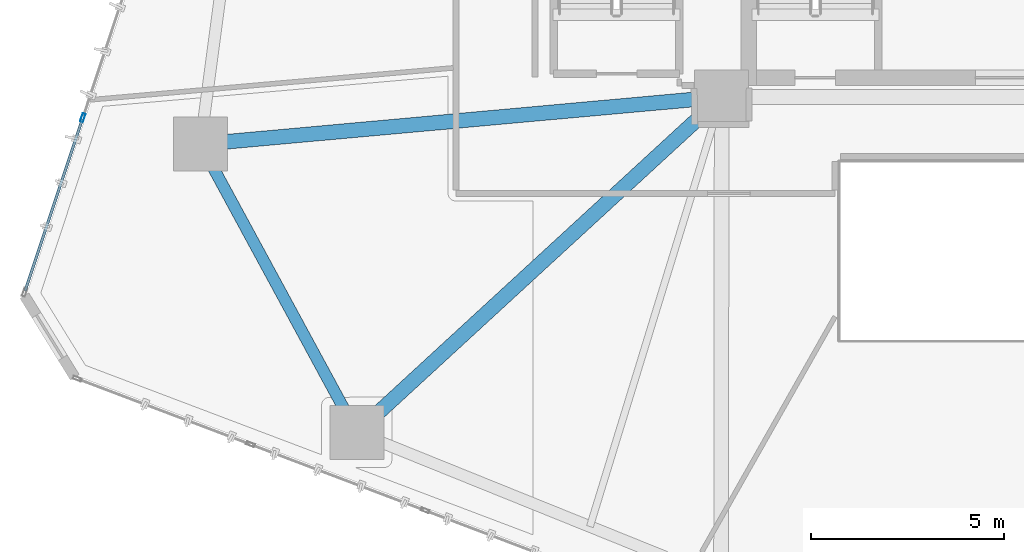
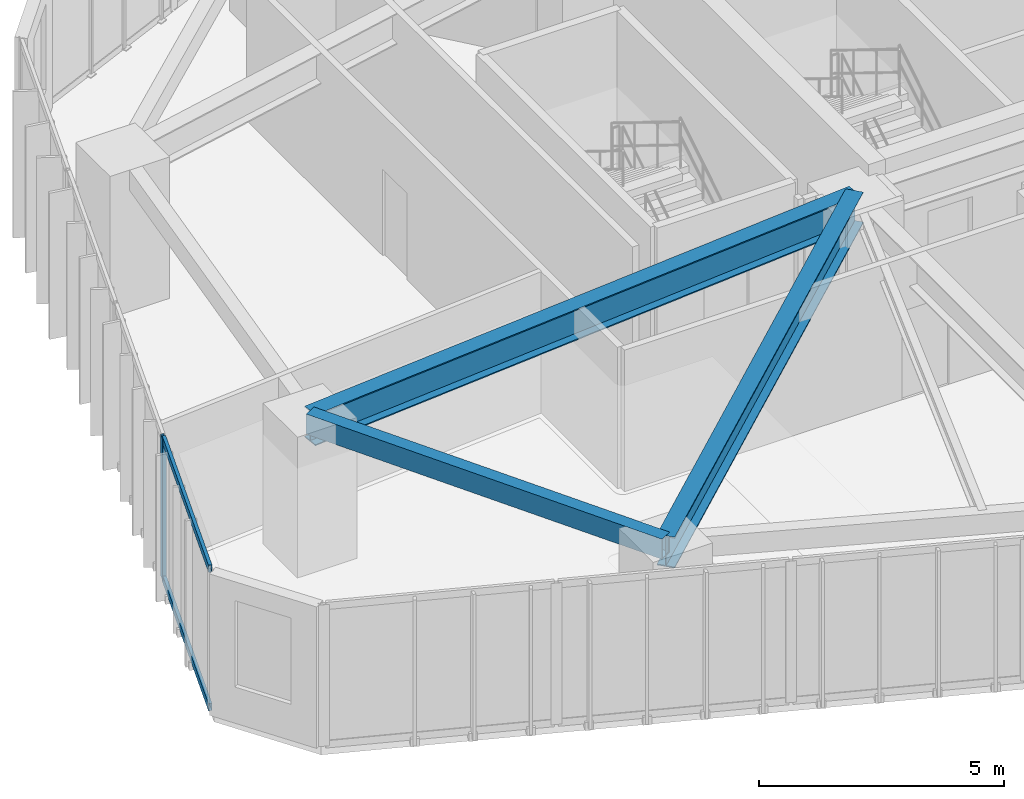
# One storey, part 3 of 23: 3 beams, 3 members, 1 element without a shape of its own.
"""IFC4 building model written with IfcOpenShell, lengths in metres."""

from ifc_helpers import new_model, si_unit, direction, frame, origin, origin_2d, place, context, subcontext, project, spatial, hollow_rectangle, i_section, extrude, source, transform, mapped, material, layer, layer_set, material_profile, profile_set, type_object, type_shapes, element, aggregate, save


model = new_model("IFC4")

# Units and contexts
model_context = context("Model", 3, precision=1e-05, world=origin(), true_north=direction((0.0, 1.0)))
body_context = subcontext(model_context, "Body", "Model", "MODEL_VIEW")
ifc_project = project(units=[si_unit("LENGTHUNIT", "METRE"), si_unit("AREAUNIT", "SQUARE_METRE"), si_unit("VOLUMEUNIT", "CUBIC_METRE"), si_unit("PLANEANGLEUNIT", "RADIAN"), si_unit("MASSUNIT", "GRAM", prefix="KILO")], contexts=[model_context])

# Site, building, storey
site_placement = place(None, origin())
site = spatial("IfcSite", under=ifc_project, at=site_placement, CompositionType="ELEMENT")
building_placement = place(site_placement, origin())
building = spatial("IfcBuilding", under=site, at=building_placement, Name="Talar Marvaseh", CompositionType="ELEMENT")
storey_placement = place(building_placement, frame((0.0, 0.0, 27.800048828125)))
storey = spatial("IfcBuildingStorey", under=building, at=storey_placement, Name="L06", CompositionType="ELEMENT", Elevation=27.800048828125)

# Beams
ifc_material_1 = material(Name="Steel S355", Category="steel")
ifc_material_profile_1 = material_profile(ifc_material_1, hollow_rectangle(XDim=0.300048828125, YDim=0.5, WallThickness=0.02001953125, at=origin_2d()), Name="RHS500x300x20")
ifc_profile_set_1 = profile_set([ifc_material_profile_1], Name="Steel S355")
beam_type_1 = type_object("IfcBeamType", Name="Zone 1 Perimeter Spandrel Beam RHS500x300x20", PredefinedType="SPANDREL", material=ifc_profile_set_1)
beam_1_placement = place(storey_placement, frame((9.23193359375, 16.7958984375, 3.27001953125), z_axis=(-0.476758155578, 0.879034505062, 0.0), x_axis=(-0.879034505062, -0.476758155578, 0.0)))
element("IfcBeam", 1, at=beam_1_placement, inside=storey, type_object=beam_type_1, Name="L06 Zone 1 Perimeter Spandrel Beam RHS500x300x20", PredefinedType="SPANDREL", context=body_context, shape_type="SweptSolid", body=[
    extrude(hollow_rectangle(XDim=0.300048828125, YDim=0.5, WallThickness=0.02001953125, at=origin_2d()), origin(), (0.0, 0.0, 1.0), 8.50927734375),
])
ifc_material_profile_2 = material_profile(ifc_material_1, i_section(OverallWidth=0.381103515625, OverallDepth=0.77294921875, WebThickness=0.0166015625, FlangeThickness=0.027099609375, at=origin_2d()), Name="W760x257")
ifc_profile_set_2 = profile_set([ifc_material_profile_2], Name="Steel S355")
beam_type_2 = type_object("IfcBeamType", Name="Zone 1 Radial Floor Girder W760x257", PredefinedType="BEAM", material=ifc_profile_set_2)
beam_2_placement = place(storey_placement, frame((9.23193359375, 16.7958984375, 3.133544921875), z_axis=(0.736181804049, 0.676783829142, 0.0), x_axis=(-0.676783829142, 0.736181804049, 0.0)))
element("IfcBeam", 2, at=beam_2_placement, inside=storey, type_object=beam_type_2, Name="L06 Zone 1 Radial Floor Girder W760x257", PredefinedType="BEAM", context=body_context, shape_type="SweptSolid", body=[
    extrude(i_section(OverallWidth=0.381103515625, OverallDepth=0.77294921875, WebThickness=0.0166015625, FlangeThickness=0.027099609375, at=origin_2d()), origin(), (0.0, 0.0, 1.0), 12.861083984375),
])
beam_3_placement = place(storey_placement, frame((5.175048828125, 24.27587890625, 3.133544921875), z_axis=(0.995929083348, 0.090140229321, 0.0), x_axis=(-0.090140229321, 0.995929083348, 0.0)))
element("IfcBeam", 3, at=beam_3_placement, inside=storey, type_object=beam_type_2, Name="L06 Zone 1 Radial Floor Girder W760x257", PredefinedType="BEAM", context=body_context, shape_type="SweptSolid", body=[
    extrude(i_section(OverallWidth=0.381103515625, OverallDepth=0.77294921875, WebThickness=0.0166015625, FlangeThickness=0.027099609375, at=origin_2d()), origin(), (0.0, 0.0, 1.0), 13.580078125),
])

# Curtain wall, members
ifc_material_2 = material(Name="Architectural Aluminium", Category="aluminium")
ifc_layer = layer(ifc_material_2, 0.219970703125)
ifc_layer_set = layer_set([ifc_layer], Name="Architectural Aluminium")
curtain_wall_type = type_object("IfcCurtainWallType", Name="Unitised Low-E Museum Curtain Wall Z1", PredefinedType="NOTDEFINED", material=ifc_layer_set)
curtain_wall_placement = place(storey_placement, origin())
curtain_wall = element("IfcCurtainWall", 4, at=curtain_wall_placement, inside=storey, type_object=curtain_wall_type, Name="L06 Unitised Low-E Museum Curtain Wall Z1", PredefinedType="NOTDEFINED")
ifc_material_profile_3 = material_profile(ifc_material_2, hollow_rectangle(XDim=0.080078125, YDim=0.219970703125, WallThickness=0.0048828125, at=origin_2d()), Name="RHS220x80x5")
ifc_profile_set_3 = profile_set([ifc_material_profile_3], Name="Architectural Aluminium")
member_type_1 = type_object("IfcMemberType", Name="Unitised Curtain Wall Heavy Mullion RHS220x80x5", PredefinedType="MULLION", material=ifc_profile_set_3)
shared_shape_1 = source(origin(), body_context, "Body", "SweptSolid", [
    extrude(hollow_rectangle(XDim=0.080078125, YDim=0.219970703125, WallThickness=0.0048828125, at=origin_2d()), origin(), (0.0, 0.0, 1.0), 3.52001953125),
])
type_shapes(member_type_1, [shared_shape_1])
member_1_placement = place(storey_placement, frame((2.123291015625, 24.962646484375, 0.0), z_axis=(0.0, 0.0, 1.0), x_axis=(-0.948853923335, 0.3157154291, 0.0)))
member_1 = element("IfcMember", 5, at=member_1_placement, type_object=member_type_1, Name="CW-Z1 mullion 2", PredefinedType="MULLION", context=body_context, shape_type="MappedRepresentation", body=[
    mapped(shared_shape_1, transform((0.0, 0.0, 0.0), x_axis=(1.0, 0.0, 0.0), y_axis=(0.0, 1.0, 0.0), z_axis=(0.0, 0.0, 1.0), scale=1.0)),
])
ifc_material_profile_4 = material_profile(ifc_material_2, hollow_rectangle(XDim=0.074951171875, YDim=0.179931640625, WallThickness=0.0048828125, at=origin_2d()), Name="RHS180x75x5")
ifc_profile_set_4 = profile_set([ifc_material_profile_4], Name="Architectural Aluminium")
member_type_2 = type_object("IfcMemberType", Name="Unitised Curtain Wall Transom RHS180x75x5", PredefinedType="USERDEFINED", material=ifc_profile_set_4)
shared_shape_2 = source(origin(), body_context, "Body", "SweptSolid", [
    extrude(hollow_rectangle(XDim=0.074951171875, YDim=0.179931640625, WallThickness=0.0048828125, at=origin_2d()), origin(), (0.0, 0.0, 1.0), 4.69677734375),
])
type_shapes(member_type_2, [shared_shape_2])
member_2_placement = place(storey_placement, frame((0.627685546875, 20.46826171875, 0.037353515625), z_axis=(0.315728710807, 0.948849503964, 0.0), x_axis=(-0.948849503964, 0.315728710807, 0.0)))
member_2 = element("IfcMember", 6, at=member_2_placement, type_object=member_type_2, Name="CW-Z1 transom 1.1", ObjectType="TRANSOM", PredefinedType="USERDEFINED", context=body_context, shape_type="MappedRepresentation", body=[
    mapped(shared_shape_2, transform((0.0, 0.0, 0.0), x_axis=(1.0, 0.0, 0.0), y_axis=(0.0, 1.0, 0.0), z_axis=(0.0, 0.0, 1.0), scale=1.0)),
])
member_3_placement = place(storey_placement, frame((0.627685546875, 20.46826171875, 3.482421875), z_axis=(0.315728710807, 0.948849503964, 0.0), x_axis=(-0.948849503964, 0.315728710807, 0.0)))
member_3 = element("IfcMember", 7, at=member_3_placement, type_object=member_type_2, Name="CW-Z1 transom 1.2", ObjectType="TRANSOM", PredefinedType="USERDEFINED", context=body_context, shape_type="MappedRepresentation", body=[
    mapped(shared_shape_2, transform((0.0, 0.0, 0.0), x_axis=(1.0, 0.0, 0.0), y_axis=(0.0, 1.0, 0.0), z_axis=(0.0, 0.0, 1.0), scale=1.0)),
])
aggregate(curtain_wall, [member_1, member_2, member_3])

save(model, "model.ifc")
